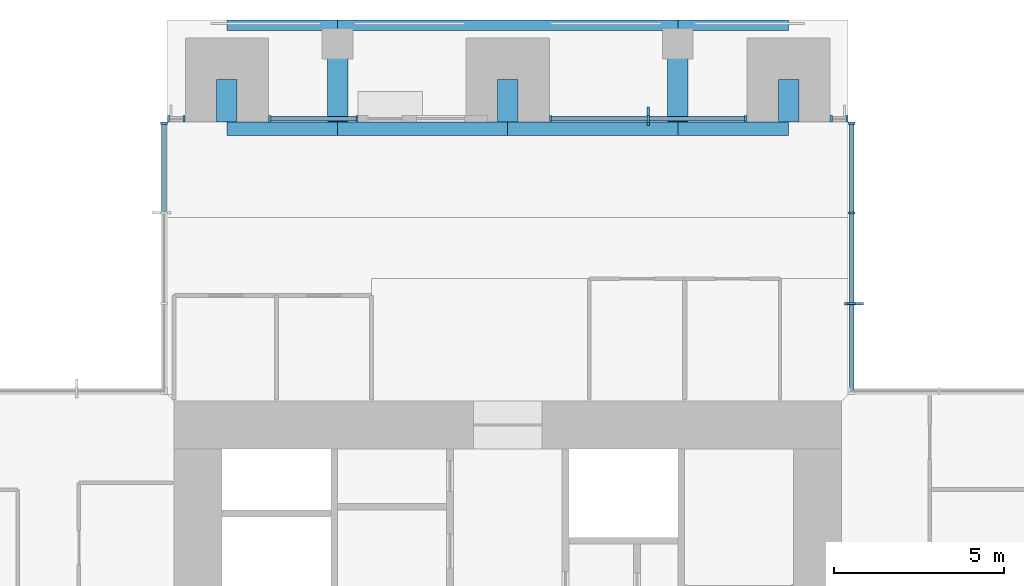
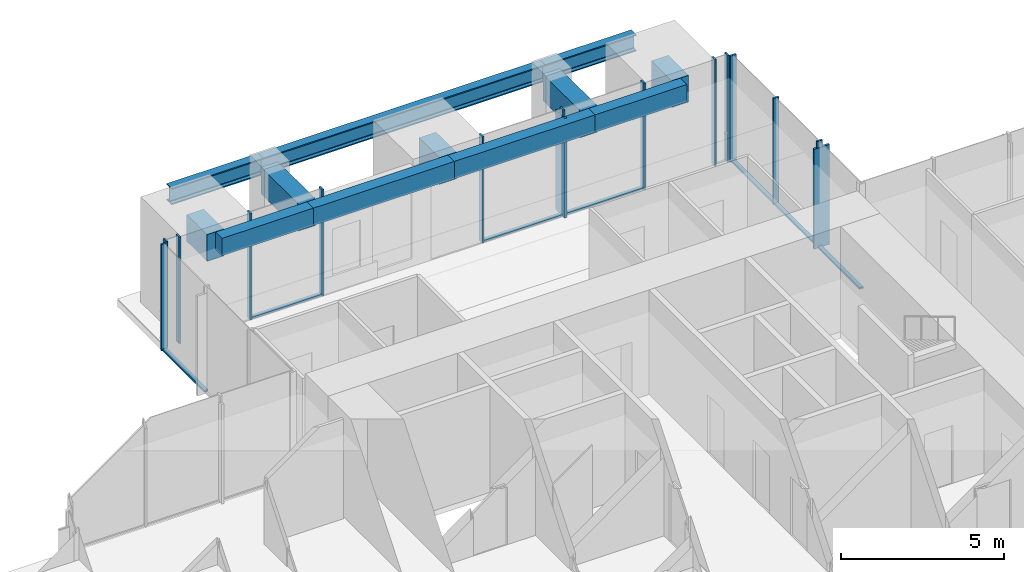
# One storey, part 5 of 17: 22 members, 12 beams, 6 elements without a shape of their own.
"""IFC4 building model written with IfcOpenShell, lengths in metres."""

from ifc_helpers import new_model, si_unit, direction, frame, origin, origin_2d, place, context, subcontext, project, spatial, rectangle, i_section, extrude, material, material_profile, profile_set, type_object, element, aggregate, save


model = new_model("IFC4")

# Units and contexts
model_context = context("Model", 3, precision=1e-05, world=origin(), true_north=direction((0.0, 1.0)))
body_context = subcontext(model_context, "Body", "Model", "MODEL_VIEW")
ifc_project = project(units=[si_unit("LENGTHUNIT", "METRE"), si_unit("AREAUNIT", "SQUARE_METRE"), si_unit("VOLUMEUNIT", "CUBIC_METRE"), si_unit("PLANEANGLEUNIT", "RADIAN"), si_unit("MASSUNIT", "GRAM", prefix="KILO")], contexts=[model_context])

# Site, building, storey
site_placement = place(None, origin())
site = spatial("IfcSite", under=ifc_project, at=site_placement, CompositionType="ELEMENT")
building_placement = place(site_placement, origin())
building = spatial("IfcBuilding", under=site, at=building_placement, Name="Svetlomir Tower", CompositionType="ELEMENT")
storey_placement = place(building_placement, frame((0.0, 0.0, 206.5)))
storey = spatial("IfcBuildingStorey", under=building, at=storey_placement, Name="L49", CompositionType="ELEMENT", Elevation=206.5)

# Curtain wall, member
ifc_material_1 = material(Name="Bronze anodised aluminium curtain wall", Category="aluminium")
curtain_wall_type = type_object("IfcCurtainWallType", Name="CURTAIN WALL CW1 TOWER OFFICE", PredefinedType="NOTDEFINED", material=ifc_material_1)
curtain_wall_1_placement = place(storey_placement, origin())
curtain_wall_1 = element("IfcCurtainWall", 1, at=curtain_wall_1_placement, inside=storey, type_object=curtain_wall_type, Name="Curtain wall CW1 L49", PredefinedType="NOTDEFINED")
ifc_material_2 = material(Name="Bronze anodised aluminium", Category="aluminium")
ifc_material_profile_1 = material_profile(ifc_material_2, rectangle(XDim=0.080078125, YDim=0.550048828125, at=origin_2d()), Name="FIN 80x550")
ifc_profile_set_1 = profile_set([ifc_material_profile_1], Name="Bronze anodised aluminium 6063-T6")
member_type_1 = type_object("IfcMemberType", Name="BRONZE FIN 80x550", PredefinedType="USERDEFINED", material=ifc_profile_set_1)
member_1_placement = place(storey_placement, frame((31.175048828125, 33.666748046875, 0.0), z_axis=(0.0, 0.0, 1.0), x_axis=(0.0, 1.0, 0.0)))
member_1 = element("IfcMember", 2, at=member_1_placement, type_object=member_type_1, Name="Bronze fin L49", ObjectType="FIN", PredefinedType="USERDEFINED", context=body_context, shape_type="SweptSolid", body=[
    extrude(rectangle(XDim=0.080078125, YDim=0.550048828125, at=origin_2d()), origin(), (0.0, 0.0, 1.0), 3.75),
])

curtain_wall_2_placement = place(storey_placement, origin())
curtain_wall_2 = element("IfcCurtainWall", 3, at=curtain_wall_2_placement, inside=storey, type_object=curtain_wall_type, Name="Curtain wall CW1 L49", PredefinedType="NOTDEFINED")
member_2_placement = place(storey_placement, frame((25.125, 39.175048828125, 0.0), z_axis=(0.0, 0.0, 1.0), x_axis=(1.0, 0.0, 0.0)))
member_2 = element("IfcMember", 4, at=member_2_placement, type_object=member_type_1, Name="Bronze fin L49", ObjectType="FIN", PredefinedType="USERDEFINED", context=body_context, shape_type="SweptSolid", body=[
    extrude(rectangle(XDim=0.080078125, YDim=0.550048828125, at=origin_2d()), origin(), (0.0, 0.0, 1.0), 3.75),
])

# Member
ifc_material_3 = material(Name="Bronze anodised aluminium", Category="aluminium")
ifc_material_profile_2 = material_profile(ifc_material_3, rectangle(XDim=0.06494140625, YDim=0.199951171875, at=origin_2d()), Name="AL 65x200")
ifc_profile_set_2 = profile_set([ifc_material_profile_2], Name="Bronze anodised aluminium 6063-T6")
member_type_2 = type_object("IfcMemberType", Name="CW1 MULLION 65x200", PredefinedType="MULLION", material=ifc_profile_set_2)
member_3_placement = place(storey_placement, frame((31.10009765625, 33.666748046875, 0.0), z_axis=(0.0, 0.0, 1.0), x_axis=(0.0, 1.0, 0.0)))
member_3 = element("IfcMember", 5, at=member_3_placement, type_object=member_type_2, Name="CW1 mullion 2", PredefinedType="MULLION", context=body_context, shape_type="SweptSolid", body=[
    extrude(rectangle(XDim=0.06494140625, YDim=0.199951171875, at=origin_2d()), origin(), (0.0, 0.0, 1.0), 4.0),
])

member_4_placement = place(storey_placement, frame((31.10009765625, 36.333251953125, 0.0), z_axis=(0.0, 0.0, 1.0), x_axis=(0.0, 1.0, 0.0)))
member_4 = element("IfcMember", 6, at=member_4_placement, type_object=member_type_2, Name="CW1 mullion 3", PredefinedType="MULLION", context=body_context, shape_type="SweptSolid", body=[
    extrude(rectangle(XDim=0.06494140625, YDim=0.199951171875, at=origin_2d()), origin(), (0.0, 0.0, 1.0), 4.0),
])

member_5_placement = place(storey_placement, frame((31.10009765625, 38.967529296875, 0.0), z_axis=(0.0, 0.0, 1.0), x_axis=(0.0, 1.0, 0.0)))
member_5 = element("IfcMember", 7, at=member_5_placement, type_object=member_type_2, Name="CW1 mullion 4", PredefinedType="MULLION", context=body_context, shape_type="SweptSolid", body=[
    extrude(rectangle(XDim=0.06494140625, YDim=0.199951171875, at=origin_2d()), origin(), (0.0, 0.0, 1.0), 4.0),
])

# Curtain wall, members
curtain_wall_3_placement = place(storey_placement, origin())
curtain_wall_3 = element("IfcCurtainWall", 8, at=curtain_wall_3_placement, inside=storey, type_object=curtain_wall_type, Name="Curtain wall CW1 L49", PredefinedType="NOTDEFINED")
member_6_placement = place(storey_placement, frame((30.967529296875, 39.10009765625, 0.0), z_axis=(0.0, 0.0, 1.0), x_axis=(-1.0, 0.0, 0.0)))
member_6 = element("IfcMember", 9, at=member_6_placement, type_object=member_type_2, Name="CW1 mullion 1", PredefinedType="MULLION", context=body_context, shape_type="SweptSolid", body=[
    extrude(rectangle(XDim=0.06494140625, YDim=0.199951171875, at=origin_2d()), origin(), (0.0, 0.0, 1.0), 4.0),
])
member_7_placement = place(storey_placement, frame((30.507568359375, 39.10009765625, 0.0), z_axis=(0.0, 0.0, 1.0), x_axis=(-1.0, 0.0, 0.0)))
member_7 = element("IfcMember", 10, at=member_7_placement, type_object=member_type_2, Name="CW1 mullion 2", PredefinedType="MULLION", context=body_context, shape_type="SweptSolid", body=[
    extrude(rectangle(XDim=0.06494140625, YDim=0.199951171875, at=origin_2d()), origin(), (0.0, 0.0, 1.0), 4.0),
])
aggregate(curtain_wall_3, [member_6, member_7])

# Member
member_8_placement = place(storey_placement, frame((27.992431640625, 39.10009765625, 0.0), z_axis=(0.0, 0.0, 1.0), x_axis=(-1.0, 0.0, 0.0)))
member_8 = element("IfcMember", 11, at=member_8_placement, type_object=member_type_2, Name="CW1 mullion 1", PredefinedType="MULLION", context=body_context, shape_type="SweptSolid", body=[
    extrude(rectangle(XDim=0.06494140625, YDim=0.199951171875, at=origin_2d()), origin(), (0.0, 0.0, 1.0), 4.0),
])

member_9_placement = place(storey_placement, frame((25.125, 39.10009765625, 0.0), z_axis=(0.0, 0.0, 1.0), x_axis=(-1.0, 0.0, 0.0)))
member_9 = element("IfcMember", 12, at=member_9_placement, type_object=member_type_2, Name="CW1 mullion 2", PredefinedType="MULLION", context=body_context, shape_type="SweptSolid", body=[
    extrude(rectangle(XDim=0.06494140625, YDim=0.199951171875, at=origin_2d()), origin(), (0.0, 0.0, 1.0), 4.0),
])

member_10_placement = place(storey_placement, frame((22.257568359375, 39.10009765625, 0.0), z_axis=(0.0, 0.0, 1.0), x_axis=(-1.0, 0.0, 0.0)))
member_10 = element("IfcMember", 13, at=member_10_placement, type_object=member_type_2, Name="CW1 mullion 3", PredefinedType="MULLION", context=body_context, shape_type="SweptSolid", body=[
    extrude(rectangle(XDim=0.06494140625, YDim=0.199951171875, at=origin_2d()), origin(), (0.0, 0.0, 1.0), 4.0),
])

# Curtain wall, members
curtain_wall_4_placement = place(storey_placement, origin())
curtain_wall_4 = element("IfcCurtainWall", 14, at=curtain_wall_4_placement, inside=storey, type_object=curtain_wall_type, Name="Curtain wall CW1 L49", PredefinedType="NOTDEFINED")
member_11_placement = place(storey_placement, frame((16.5673828125, 39.10009765625, 0.0), z_axis=(0.0, 0.0, 1.0), x_axis=(-1.0, 0.0, 0.0)))
member_11 = element("IfcMember", 15, at=member_11_placement, type_object=member_type_2, Name="CW1 mullion 1", PredefinedType="MULLION", context=body_context, shape_type="SweptSolid", body=[
    extrude(rectangle(XDim=0.06494140625, YDim=0.199951171875, at=origin_2d()), origin(), (0.0, 0.0, 1.0), 4.0),
])
member_12_placement = place(storey_placement, frame((14.007568359375, 39.10009765625, 0.0), z_axis=(0.0, 0.0, 1.0), x_axis=(-1.0, 0.0, 0.0)))
member_12 = element("IfcMember", 16, at=member_12_placement, type_object=member_type_2, Name="CW1 mullion 2", PredefinedType="MULLION", context=body_context, shape_type="SweptSolid", body=[
    extrude(rectangle(XDim=0.06494140625, YDim=0.199951171875, at=origin_2d()), origin(), (0.0, 0.0, 1.0), 4.0),
])

curtain_wall_5_placement = place(storey_placement, origin())
curtain_wall_5 = element("IfcCurtainWall", 17, at=curtain_wall_5_placement, inside=storey, type_object=curtain_wall_type, Name="Curtain wall CW1 L49", PredefinedType="NOTDEFINED")
member_13_placement = place(storey_placement, frame((11.492431640625, 39.10009765625, 0.0), z_axis=(0.0, 0.0, 1.0), x_axis=(-1.0, 0.0, 0.0)))
member_13 = element("IfcMember", 18, at=member_13_placement, type_object=member_type_2, Name="CW1 mullion 1", PredefinedType="MULLION", context=body_context, shape_type="SweptSolid", body=[
    extrude(rectangle(XDim=0.06494140625, YDim=0.199951171875, at=origin_2d()), origin(), (0.0, 0.0, 1.0), 4.0),
])
member_14_placement = place(storey_placement, frame((11.032470703125, 39.10009765625, 0.0), z_axis=(0.0, 0.0, 1.0), x_axis=(-1.0, 0.0, 0.0)))
member_14 = element("IfcMember", 19, at=member_14_placement, type_object=member_type_2, Name="CW1 mullion 2", PredefinedType="MULLION", context=body_context, shape_type="SweptSolid", body=[
    extrude(rectangle(XDim=0.06494140625, YDim=0.199951171875, at=origin_2d()), origin(), (0.0, 0.0, 1.0), 4.0),
])
aggregate(curtain_wall_5, [member_13, member_14])

# Curtain wall, member
curtain_wall_6_placement = place(storey_placement, origin())
curtain_wall_6 = element("IfcCurtainWall", 20, at=curtain_wall_6_placement, inside=storey, type_object=curtain_wall_type, Name="Curtain wall CW1 L49", PredefinedType="NOTDEFINED")
member_15_placement = place(storey_placement, frame((10.89990234375, 38.967529296875, 0.0), z_axis=(0.0, 0.0, 1.0), x_axis=(0.0, -1.0, 0.0)))
member_15 = element("IfcMember", 21, at=member_15_placement, type_object=member_type_2, Name="CW1 mullion 1", PredefinedType="MULLION", context=body_context, shape_type="SweptSolid", body=[
    extrude(rectangle(XDim=0.06494140625, YDim=0.199951171875, at=origin_2d()), origin(), (0.0, 0.0, 1.0), 4.0),
])

# Member
ifc_material_4 = material(Name="Bronze anodised aluminium", Category="aluminium")
ifc_material_profile_3 = material_profile(ifc_material_4, rectangle(XDim=0.139892578125, YDim=0.06494140625, at=origin_2d()), Name="AL 140x65")
ifc_profile_set_3 = profile_set([ifc_material_profile_3], Name="Bronze anodised aluminium 6063-T6")
member_type_3 = type_object("IfcMemberType", Name="CW1 TRANSOM 65x140", PredefinedType="USERDEFINED", material=ifc_profile_set_3)
member_16_placement = place(storey_placement, frame((31.10009765625, 31.06494140625, 0.032470703125), z_axis=(0.0, 1.0, 0.0), x_axis=(-1.0, 0.0, 0.0)))
member_16 = element("IfcMember", 22, at=member_16_placement, type_object=member_type_3, Name="CW1 transom 1.1", ObjectType="TRANSOM", PredefinedType="USERDEFINED", context=body_context, shape_type="SweptSolid", body=[
    extrude(rectangle(XDim=0.139892578125, YDim=0.06494140625, at=origin_2d()), origin(), (0.0, 0.0, 1.0), 2.5693359375),
])

member_17_placement = place(storey_placement, frame((31.10009765625, 33.69921875, 0.032470703125), z_axis=(0.0, 1.0, 0.0), x_axis=(-1.0, 0.0, 0.0)))
member_17 = element("IfcMember", 23, at=member_17_placement, type_object=member_type_3, Name="CW1 transom 2.1", ObjectType="TRANSOM", PredefinedType="USERDEFINED", context=body_context, shape_type="SweptSolid", body=[
    extrude(rectangle(XDim=0.139892578125, YDim=0.06494140625, at=origin_2d()), origin(), (0.0, 0.0, 1.0), 2.6015625),
])

member_18_placement = place(storey_placement, frame((31.10009765625, 36.36572265625, 0.032470703125), z_axis=(0.0, 1.0, 0.0), x_axis=(-1.0, 0.0, 0.0)))
member_18 = element("IfcMember", 24, at=member_18_placement, type_object=member_type_3, Name="CW1 transom 3.1", ObjectType="TRANSOM", PredefinedType="USERDEFINED", context=body_context, shape_type="SweptSolid", body=[
    extrude(rectangle(XDim=0.139892578125, YDim=0.06494140625, at=origin_2d()), origin(), (0.0, 0.0, 1.0), 2.5693359375),
])

aggregate(curtain_wall_1, [member_3, member_4, member_5, member_16, member_17, member_18, member_1])

member_19_placement = place(storey_placement, frame((27.9599609375, 39.10009765625, 0.032470703125), z_axis=(-1.0, 0.0, 0.0), x_axis=(0.0, -1.0, 0.0)))
member_19 = element("IfcMember", 25, at=member_19_placement, type_object=member_type_3, Name="CW1 transom 1.1", ObjectType="TRANSOM", PredefinedType="USERDEFINED", context=body_context, shape_type="SweptSolid", body=[
    extrude(rectangle(XDim=0.139892578125, YDim=0.06494140625, at=origin_2d()), origin(), (0.0, 0.0, 1.0), 2.802490234375),
])

member_20_placement = place(storey_placement, frame((25.092529296875, 39.10009765625, 0.032470703125), z_axis=(-1.0, 0.0, 0.0), x_axis=(0.0, -1.0, 0.0)))
member_20 = element("IfcMember", 26, at=member_20_placement, type_object=member_type_3, Name="CW1 transom 2.1", ObjectType="TRANSOM", PredefinedType="USERDEFINED", context=body_context, shape_type="SweptSolid", body=[
    extrude(rectangle(XDim=0.139892578125, YDim=0.06494140625, at=origin_2d()), origin(), (0.0, 0.0, 1.0), 2.802490234375),
])

aggregate(curtain_wall_2, [member_8, member_9, member_10, member_19, member_20, member_2])

member_21_placement = place(storey_placement, frame((16.534912109375, 39.10009765625, 0.032470703125), z_axis=(-1.0, 0.0, 0.0), x_axis=(0.0, -1.0, 0.0)))
member_21 = element("IfcMember", 27, at=member_21_placement, type_object=member_type_3, Name="CW1 transom 1.1", ObjectType="TRANSOM", PredefinedType="USERDEFINED", context=body_context, shape_type="SweptSolid", body=[
    extrude(rectangle(XDim=0.139892578125, YDim=0.06494140625, at=origin_2d()), origin(), (0.0, 0.0, 1.0), 2.494873046875),
])

aggregate(curtain_wall_4, [member_11, member_12, member_21])

member_22_placement = place(storey_placement, frame((10.89990234375, 38.93505859375, 0.032470703125), z_axis=(0.0, -1.0, 0.0), x_axis=(1.0, 0.0, 0.0)))
member_22 = element("IfcMember", 28, at=member_22_placement, type_object=member_type_3, Name="CW1 transom 1.1", ObjectType="TRANSOM", PredefinedType="USERDEFINED", context=body_context, shape_type="SweptSolid", body=[
    extrude(rectangle(XDim=0.139892578125, YDim=0.06494140625, at=origin_2d()), origin(), (0.0, 0.0, 1.0), 2.5693359375),
])

aggregate(curtain_wall_6, [member_15, member_22])

# Beams
ifc_material_5 = material(Name="Steel S355", Category="steel")
ifc_material_profile_4 = material_profile(ifc_material_5, i_section(OverallWidth=0.304931640625, OverallDepth=0.6201171875, WebThickness=0.02099609375, FlangeThickness=0.0400390625, FilletRadius=0.027099609375, at=origin_2d()), Name="HEM 600")
ifc_profile_set_4 = profile_set([ifc_material_profile_4], Name="Steel S355")
beam_type_1 = type_object("IfcBeamType", Name="EDGE BEAM HEM 600", PredefinedType="SPANDREL", material=ifc_profile_set_4)
beam_1_placement = place(storey_placement, frame((12.75, 41.847412109375, 3.43994140625), z_axis=(1.0, 0.0, 0.0), x_axis=(0.0, 1.0, 0.0)))
element("IfcBeam", 29, at=beam_1_placement, inside=storey, type_object=beam_type_1, Name="Edge beam 11/42 to 16/42 under L50", PredefinedType="SPANDREL", context=body_context, shape_type="SweptSolid", body=[
    extrude(i_section(OverallWidth=0.304931640625, OverallDepth=0.6201171875, WebThickness=0.02099609375, FlangeThickness=0.0400390625, FilletRadius=0.027099609375, at=origin_2d()), origin(), (0.0, 0.0, 1.0), 3.25),
])
beam_2_placement = place(storey_placement, frame((16.0, 41.847412109375, 3.43994140625), z_axis=(1.0, 0.0, 0.0), x_axis=(0.0, 1.0, 0.0)))
element("IfcBeam", 30, at=beam_2_placement, inside=storey, type_object=beam_type_1, Name="Edge beam 16/42 to 26/42 under L50", PredefinedType="SPANDREL", context=body_context, shape_type="SweptSolid", body=[
    extrude(i_section(OverallWidth=0.304931640625, OverallDepth=0.6201171875, WebThickness=0.02099609375, FlangeThickness=0.0400390625, FilletRadius=0.027099609375, at=origin_2d()), origin(), (0.0, 0.0, 1.0), 10.0),
])
beam_3_placement = place(storey_placement, frame((26.0, 41.847412109375, 3.43994140625), z_axis=(1.0, 0.0, 0.0), x_axis=(0.0, 1.0, 0.0)))
element("IfcBeam", 31, at=beam_3_placement, inside=storey, type_object=beam_type_1, Name="Edge beam 26/42 to 31/42 under L50", PredefinedType="SPANDREL", context=body_context, shape_type="SweptSolid", body=[
    extrude(i_section(OverallWidth=0.304931640625, OverallDepth=0.6201171875, WebThickness=0.02099609375, FlangeThickness=0.0400390625, FilletRadius=0.027099609375, at=origin_2d()), origin(), (0.0, 0.0, 1.0), 3.25),
])
ifc_material_6 = material(Name="Concrete C60/75", Category="concrete")
ifc_material_profile_5 = material_profile(ifc_material_6, rectangle(XDim=0.39990234375, YDim=0.64990234375, at=origin_2d()), Name="RC 400x650")
ifc_profile_set_5 = profile_set([ifc_material_profile_5], Name="Concrete C60/75")
beam_type_2 = type_object("IfcBeamType", Name="FACADE EDGE BEAM RC 400x650", PredefinedType="BEAM", material=ifc_profile_set_5)
beam_4_placement = place(storey_placement, frame((12.75, 38.800048828125, 3.425048828125), z_axis=(1.0, 0.0, 0.0), x_axis=(0.0, 1.0, 0.0)))
element("IfcBeam", 32, at=beam_4_placement, inside=storey, type_object=beam_type_2, Name="Facade edge beam N 11 to 16 under L50", PredefinedType="BEAM", context=body_context, shape_type="SweptSolid", body=[
    extrude(rectangle(XDim=0.39990234375, YDim=0.64990234375, at=origin_2d()), origin(), (0.0, 0.0, 1.0), 3.25),
])
for number, where, z_axis, x_axis, name in (
    (33, (16.0, 38.800048828125, 3.425048828125), (1.0, 0.0, 0.0), (0.0, 1.0, 0.0), "Facade edge beam N 16 to 21 under L50"),
    (34, (21.0, 38.800048828125, 3.425048828125), (1.0, 0.0, 0.0), (0.0, 1.0, 0.0), "Facade edge beam N 21 to 26 under L50"),
):
    element("IfcBeam", number, at=place(storey_placement, frame(where, z_axis=z_axis, x_axis=x_axis)), inside=storey, type_object=beam_type_2, Name=name, PredefinedType="BEAM", context=body_context, shape_type="SweptSolid", body=[
        extrude(rectangle(XDim=0.39990234375, YDim=0.64990234375, at=origin_2d()), origin(), (0.0, 0.0, 1.0), 5.0),
    ])
beam_5_placement = place(storey_placement, frame((26.0, 38.800048828125, 3.425048828125), z_axis=(1.0, 0.0, 0.0), x_axis=(0.0, 1.0, 0.0)))
element("IfcBeam", 35, at=beam_5_placement, inside=storey, type_object=beam_type_2, Name="Facade edge beam N 26 to 31 under L50", PredefinedType="BEAM", context=body_context, shape_type="SweptSolid", body=[
    extrude(rectangle(XDim=0.39990234375, YDim=0.64990234375, at=origin_2d()), origin(), (0.0, 0.0, 1.0), 3.25),
])
ifc_material_7 = material(Name="Concrete C60/75", Category="concrete")
ifc_material_profile_6 = material_profile(ifc_material_7, rectangle(XDim=0.60009765625, YDim=1.0, at=origin_2d()), Name="RC 600x1000")
ifc_profile_set_6 = profile_set([ifc_material_profile_6], Name="Concrete C60/75")
beam_type_3 = type_object("IfcBeamType", Name="LOGGIA LINK BEAM RC 600x1000", PredefinedType="BEAM", material=ifc_profile_set_6)
beam_6_placement = place(storey_placement, frame((12.75, 40.25, 3.25), z_axis=(0.0, -1.0, 0.0), x_axis=(1.0, 0.0, 0.0)))
element("IfcBeam", 36, at=beam_6_placement, inside=storey, type_object=beam_type_3, Name="Loggia link beam N 11 under L50", PredefinedType="BEAM", context=body_context, shape_type="SweptSolid", body=[
    extrude(rectangle(XDim=0.60009765625, YDim=1.0, at=origin_2d()), origin(), (0.0, 0.0, 1.0), 1.25),
])
beam_7_placement = place(storey_placement, frame((16.0, 41.300048828125, 3.25), z_axis=(0.0, -1.0, 0.0), x_axis=(1.0, 0.0, 0.0)))
element("IfcBeam", 37, at=beam_7_placement, inside=storey, type_object=beam_type_3, Name="Loggia link beam N 16 under L50", PredefinedType="BEAM", context=body_context, shape_type="SweptSolid", body=[
    extrude(rectangle(XDim=0.60009765625, YDim=1.0, at=origin_2d()), origin(), (0.0, 0.0, 1.0), 2.300048828125),
])
beam_8_placement = place(storey_placement, frame((21.0, 40.25, 3.25), z_axis=(0.0, -1.0, 0.0), x_axis=(1.0, 0.0, 0.0)))
element("IfcBeam", 38, at=beam_8_placement, inside=storey, type_object=beam_type_3, Name="Loggia link beam N 21 under L50", PredefinedType="BEAM", context=body_context, shape_type="SweptSolid", body=[
    extrude(rectangle(XDim=0.60009765625, YDim=1.0, at=origin_2d()), origin(), (0.0, 0.0, 1.0), 1.25),
])
beam_9_placement = place(storey_placement, frame((26.0, 41.300048828125, 3.25), z_axis=(0.0, -1.0, 0.0), x_axis=(1.0, 0.0, 0.0)))
element("IfcBeam", 39, at=beam_9_placement, inside=storey, type_object=beam_type_3, Name="Loggia link beam N 26 under L50", PredefinedType="BEAM", context=body_context, shape_type="SweptSolid", body=[
    extrude(rectangle(XDim=0.60009765625, YDim=1.0, at=origin_2d()), origin(), (0.0, 0.0, 1.0), 2.300048828125),
])
beam_10_placement = place(storey_placement, frame((29.25, 40.25, 3.25), z_axis=(0.0, -1.0, 0.0), x_axis=(1.0, 0.0, 0.0)))
element("IfcBeam", 40, at=beam_10_placement, inside=storey, type_object=beam_type_3, Name="Loggia link beam N 31 under L50", PredefinedType="BEAM", context=body_context, shape_type="SweptSolid", body=[
    extrude(rectangle(XDim=0.60009765625, YDim=1.0, at=origin_2d()), origin(), (0.0, 0.0, 1.0), 1.25),
])

save(model, "model.ifc")
